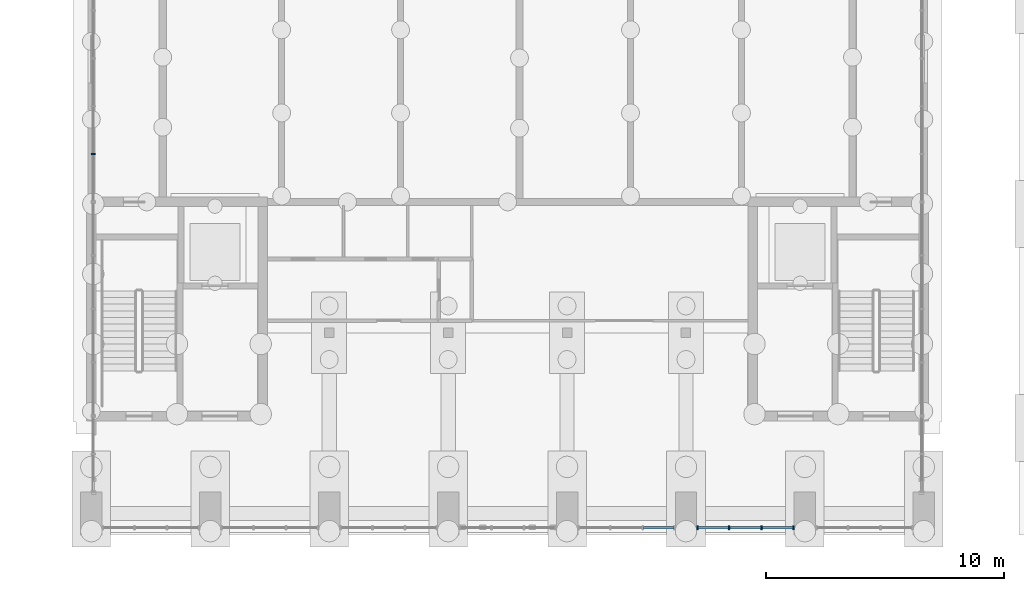
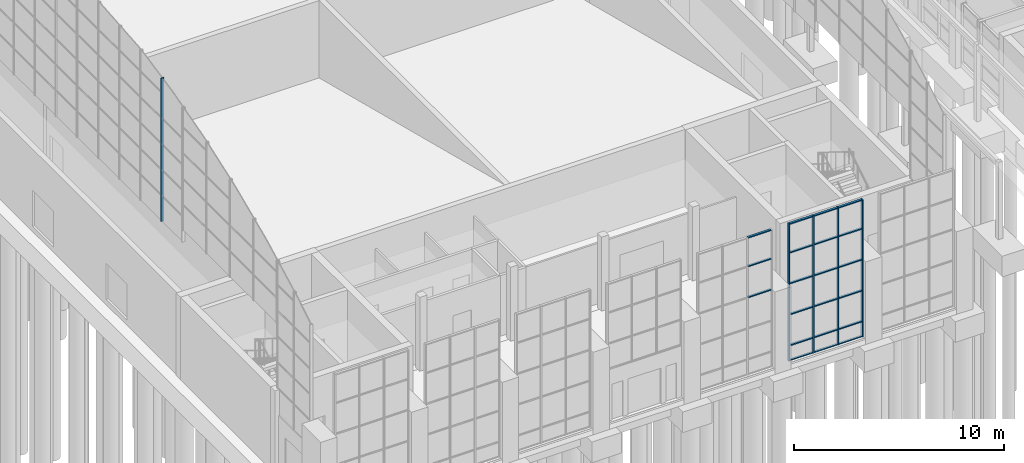
# One storey, part 26 of 106: 26 members, 3 elements without a shape of their own.
"""IFC4 building model written with IfcOpenShell, lengths in metres."""

from ifc_helpers import new_model, si_unit, direction, frame, origin, origin_2d, place, context, subcontext, project, spatial, rectangle, extrude, material, material_profile, profile_set, type_object, element, aggregate, save


model = new_model("IFC4")

# Units and contexts
model_context = context("Model", 3, precision=1e-05, world=origin(), true_north=direction((0.0, 1.0)))
body_context = subcontext(model_context, "Body", "Model", "MODEL_VIEW")
ifc_project = project(units=[si_unit("LENGTHUNIT", "METRE"), si_unit("AREAUNIT", "SQUARE_METRE"), si_unit("VOLUMEUNIT", "CUBIC_METRE"), si_unit("PLANEANGLEUNIT", "RADIAN"), si_unit("MASSUNIT", "GRAM", prefix="KILO")], contexts=[model_context])

# Site, building, storey
site_placement = place(None, origin())
site = spatial("IfcSite", under=ifc_project, at=site_placement, CompositionType="ELEMENT")
building_placement = place(site_placement, origin())
building = spatial("IfcBuilding", under=site, at=building_placement, Name="Merrow Basin Faculty of Sciences", CompositionType="ELEMENT")
storey_placement = place(building_placement, origin())
storey = spatial("IfcBuildingStorey", under=building, at=storey_placement, Name="L00", CompositionType="ELEMENT", Elevation=0.0)

# Curtain wall, member
ifc_material_1 = material(Name="Aluminium alloy 6063", Category="aluminium")
curtain_wall_type_1 = type_object("IfcCurtainWallType", Name="Arched curtain wall 160", PredefinedType="NOTDEFINED", material=ifc_material_1)
curtain_wall_1_placement = place(storey_placement, origin())
curtain_wall_1 = element("IfcCurtainWall", 1, at=curtain_wall_1_placement, inside=storey, type_object=curtain_wall_type_1, Name="West gable glazing C", PredefinedType="NOTDEFINED")
ifc_material_2 = material(Name="Aluminium alloy 6063", Category="aluminium")
ifc_material_profile_1 = material_profile(ifc_material_2, rectangle(XDim=0.159912109375, YDim=0.06005859375, at=origin_2d()))
ifc_profile_set_1 = profile_set([ifc_material_profile_1], Name="Aluminium alloy 6063")
member_type_1 = type_object("IfcMemberType", Name="Aluminium gable mullion 60x160", PredefinedType="MULLION", material=ifc_profile_set_1)
member_1_placement = place(storey_placement, frame((0.080078125, 16.010986328125, 7.5), z_axis=(0.0, 0.0, 1.0), x_axis=(1.0, 0.0, 0.0)))
member_1 = element("IfcMember", 2, at=member_1_placement, type_object=member_type_1, Name="CW4 mullion 2", PredefinedType="MULLION", context=body_context, shape_type="SweptSolid", body=[
    extrude(rectangle(XDim=0.159912109375, YDim=0.06005859375, at=origin_2d()), origin(), (0.0, 0.0, 1.0), 8.33203125),
])
aggregate(curtain_wall_1, [member_1])

# Curtain wall, members
ifc_material_3 = material(Name="Aluminium alloy 6063", Category="aluminium")
curtain_wall_type_2 = type_object("IfcCurtainWallType", Name="Unitised curtain wall 160", PredefinedType="NOTDEFINED", material=ifc_material_3)
curtain_wall_2_placement = place(storey_placement, origin())
curtain_wall_2 = element("IfcCurtainWall", 3, at=curtain_wall_2_placement, inside=storey, type_object=curtain_wall_type_2, Name="South foyer curtain wall", PredefinedType="NOTDEFINED")
ifc_material_4 = material(Name="Aluminium alloy 6063", Category="aluminium")
ifc_material_profile_2 = material_profile(ifc_material_4, rectangle(XDim=0.159912109375, YDim=0.06005859375, at=origin_2d()))
ifc_profile_set_2 = profile_set([ifc_material_profile_2], Name="Aluminium alloy 6063")
member_type_2 = type_object("IfcMemberType", Name="Aluminium mullion 60x160", PredefinedType="MULLION", material=ifc_profile_set_2)
member_2_placement = place(storey_placement, frame((25.47998046875, 0.300048828125, 0.0), z_axis=(0.0, 0.0, 1.0), x_axis=(0.0, 1.0, 0.0)))
member_2 = element("IfcMember", 4, at=member_2_placement, type_object=member_type_2, Name="CW3 mullion 1", PredefinedType="MULLION", context=body_context, shape_type="SweptSolid", body=[
    extrude(rectangle(XDim=0.159912109375, YDim=0.06005859375, at=origin_2d()), origin(), (0.0, 0.0, 1.0), 8.0),
])
member_3_placement = place(storey_placement, frame((26.816650390625, 0.300048828125, 0.0), z_axis=(0.0, 0.0, 1.0), x_axis=(0.0, 1.0, 0.0)))
member_3 = element("IfcMember", 5, at=member_3_placement, type_object=member_type_2, Name="CW3 mullion 2", PredefinedType="MULLION", context=body_context, shape_type="SweptSolid", body=[
    extrude(rectangle(XDim=0.159912109375, YDim=0.06005859375, at=origin_2d()), origin(), (0.0, 0.0, 1.0), 8.0),
])
member_4_placement = place(storey_placement, frame((28.183349609375, 0.300048828125, 0.0), z_axis=(0.0, 0.0, 1.0), x_axis=(0.0, 1.0, 0.0)))
member_4 = element("IfcMember", 6, at=member_4_placement, type_object=member_type_2, Name="CW3 mullion 3", PredefinedType="MULLION", context=body_context, shape_type="SweptSolid", body=[
    extrude(rectangle(XDim=0.159912109375, YDim=0.06005859375, at=origin_2d()), origin(), (0.0, 0.0, 1.0), 8.0),
])
member_5_placement = place(storey_placement, frame((29.52001953125, 0.300048828125, 0.0), z_axis=(0.0, 0.0, 1.0), x_axis=(0.0, 1.0, 0.0)))
member_5 = element("IfcMember", 7, at=member_5_placement, type_object=member_type_2, Name="CW3 mullion 4", PredefinedType="MULLION", context=body_context, shape_type="SweptSolid", body=[
    extrude(rectangle(XDim=0.159912109375, YDim=0.06005859375, at=origin_2d()), origin(), (0.0, 0.0, 1.0), 8.0),
])

curtain_wall_3_placement = place(storey_placement, origin())
curtain_wall_3 = element("IfcCurtainWall", 8, at=curtain_wall_3_placement, inside=storey, type_object=curtain_wall_type_2, Name="South foyer curtain wall", PredefinedType="NOTDEFINED")
ifc_material_5 = material(Name="Aluminium alloy 6063", Category="aluminium")
ifc_material_profile_3 = material_profile(ifc_material_5, rectangle(XDim=0.1201171875, YDim=0.06005859375, at=origin_2d()))
ifc_profile_set_3 = profile_set([ifc_material_profile_3], Name="Aluminium alloy 6063")
member_type_3 = type_object("IfcMemberType", Name="Aluminium transom 60x120", PredefinedType="USERDEFINED", material=ifc_profile_set_3)
member_6_placement = place(storey_placement, frame((23.21337890625, 0.300048828125, 4.5), z_axis=(1.0, 0.0, 0.0), x_axis=(0.0, 1.0, 0.0)))
member_6 = element("IfcMember", 9, at=member_6_placement, type_object=member_type_3, Name="CW3 transom 3.4", ObjectType="TRANSOM", PredefinedType="USERDEFINED", context=body_context, shape_type="SweptSolid", body=[
    extrude(rectangle(XDim=0.1201171875, YDim=0.06005859375, at=origin_2d()), origin(), (0.0, 0.0, 1.0), 1.276611328125),
])
member_7_placement = place(storey_placement, frame((23.21337890625, 0.300048828125, 6.300048828125), z_axis=(1.0, 0.0, 0.0), x_axis=(0.0, 1.0, 0.0)))
member_7 = element("IfcMember", 10, at=member_7_placement, type_object=member_type_3, Name="CW3 transom 3.5", ObjectType="TRANSOM", PredefinedType="USERDEFINED", context=body_context, shape_type="SweptSolid", body=[
    extrude(rectangle(XDim=0.1201171875, YDim=0.06005859375, at=origin_2d()), origin(), (0.0, 0.0, 1.0), 1.276611328125),
])
member_8_placement = place(storey_placement, frame((23.21337890625, 0.300048828125, 7.969970703125), z_axis=(1.0, 0.0, 0.0), x_axis=(0.0, 1.0, 0.0)))
member_8 = element("IfcMember", 11, at=member_8_placement, type_object=member_type_3, Name="CW3 transom 3.6", ObjectType="TRANSOM", PredefinedType="USERDEFINED", context=body_context, shape_type="SweptSolid", body=[
    extrude(rectangle(XDim=0.1201171875, YDim=0.06005859375, at=origin_2d()), origin(), (0.0, 0.0, 1.0), 1.276611328125),
])
aggregate(curtain_wall_3, [member_6, member_7, member_8])

# Member
member_9_placement = place(storey_placement, frame((25.510009765625, 0.300048828125, 0.030029296875), z_axis=(1.0, 0.0, 0.0), x_axis=(0.0, 1.0, 0.0)))
member_9 = element("IfcMember", 12, at=member_9_placement, type_object=member_type_3, Name="CW3 transom 1.1", ObjectType="TRANSOM", PredefinedType="USERDEFINED", context=body_context, shape_type="SweptSolid", body=[
    extrude(rectangle(XDim=0.1201171875, YDim=0.06005859375, at=origin_2d()), origin(), (0.0, 0.0, 1.0), 1.276611328125),
])

member_10_placement = place(storey_placement, frame((25.510009765625, 0.300048828125, 0.89990234375), z_axis=(1.0, 0.0, 0.0), x_axis=(0.0, 1.0, 0.0)))
member_10 = element("IfcMember", 13, at=member_10_placement, type_object=member_type_3, Name="CW3 transom 1.2", ObjectType="TRANSOM", PredefinedType="USERDEFINED", context=body_context, shape_type="SweptSolid", body=[
    extrude(rectangle(XDim=0.1201171875, YDim=0.06005859375, at=origin_2d()), origin(), (0.0, 0.0, 1.0), 1.276611328125),
])

member_11_placement = place(storey_placement, frame((25.510009765625, 0.300048828125, 2.699951171875), z_axis=(1.0, 0.0, 0.0), x_axis=(0.0, 1.0, 0.0)))
member_11 = element("IfcMember", 14, at=member_11_placement, type_object=member_type_3, Name="CW3 transom 1.3", ObjectType="TRANSOM", PredefinedType="USERDEFINED", context=body_context, shape_type="SweptSolid", body=[
    extrude(rectangle(XDim=0.1201171875, YDim=0.06005859375, at=origin_2d()), origin(), (0.0, 0.0, 1.0), 1.276611328125),
])

member_12_placement = place(storey_placement, frame((25.510009765625, 0.300048828125, 4.5), z_axis=(1.0, 0.0, 0.0), x_axis=(0.0, 1.0, 0.0)))
member_12 = element("IfcMember", 15, at=member_12_placement, type_object=member_type_3, Name="CW3 transom 1.4", ObjectType="TRANSOM", PredefinedType="USERDEFINED", context=body_context, shape_type="SweptSolid", body=[
    extrude(rectangle(XDim=0.1201171875, YDim=0.06005859375, at=origin_2d()), origin(), (0.0, 0.0, 1.0), 1.276611328125),
])

member_13_placement = place(storey_placement, frame((25.510009765625, 0.300048828125, 6.300048828125), z_axis=(1.0, 0.0, 0.0), x_axis=(0.0, 1.0, 0.0)))
member_13 = element("IfcMember", 16, at=member_13_placement, type_object=member_type_3, Name="CW3 transom 1.5", ObjectType="TRANSOM", PredefinedType="USERDEFINED", context=body_context, shape_type="SweptSolid", body=[
    extrude(rectangle(XDim=0.1201171875, YDim=0.06005859375, at=origin_2d()), origin(), (0.0, 0.0, 1.0), 1.276611328125),
])

member_14_placement = place(storey_placement, frame((25.510009765625, 0.300048828125, 7.969970703125), z_axis=(1.0, 0.0, 0.0), x_axis=(0.0, 1.0, 0.0)))
member_14 = element("IfcMember", 17, at=member_14_placement, type_object=member_type_3, Name="CW3 transom 1.6", ObjectType="TRANSOM", PredefinedType="USERDEFINED", context=body_context, shape_type="SweptSolid", body=[
    extrude(rectangle(XDim=0.1201171875, YDim=0.06005859375, at=origin_2d()), origin(), (0.0, 0.0, 1.0), 1.276611328125),
])

member_15_placement = place(storey_placement, frame((26.8466796875, 0.300048828125, 0.030029296875), z_axis=(1.0, 0.0, 0.0), x_axis=(0.0, 1.0, 0.0)))
member_15 = element("IfcMember", 18, at=member_15_placement, type_object=member_type_3, Name="CW3 transom 2.1", ObjectType="TRANSOM", PredefinedType="USERDEFINED", context=body_context, shape_type="SweptSolid", body=[
    extrude(rectangle(XDim=0.1201171875, YDim=0.06005859375, at=origin_2d()), origin(), (0.0, 0.0, 1.0), 1.306640625),
])

member_16_placement = place(storey_placement, frame((26.8466796875, 0.300048828125, 0.89990234375), z_axis=(1.0, 0.0, 0.0), x_axis=(0.0, 1.0, 0.0)))
member_16 = element("IfcMember", 19, at=member_16_placement, type_object=member_type_3, Name="CW3 transom 2.2", ObjectType="TRANSOM", PredefinedType="USERDEFINED", context=body_context, shape_type="SweptSolid", body=[
    extrude(rectangle(XDim=0.1201171875, YDim=0.06005859375, at=origin_2d()), origin(), (0.0, 0.0, 1.0), 1.306640625),
])

member_17_placement = place(storey_placement, frame((26.8466796875, 0.300048828125, 2.699951171875), z_axis=(1.0, 0.0, 0.0), x_axis=(0.0, 1.0, 0.0)))
member_17 = element("IfcMember", 20, at=member_17_placement, type_object=member_type_3, Name="CW3 transom 2.3", ObjectType="TRANSOM", PredefinedType="USERDEFINED", context=body_context, shape_type="SweptSolid", body=[
    extrude(rectangle(XDim=0.1201171875, YDim=0.06005859375, at=origin_2d()), origin(), (0.0, 0.0, 1.0), 1.306640625),
])

member_18_placement = place(storey_placement, frame((26.8466796875, 0.300048828125, 4.5), z_axis=(1.0, 0.0, 0.0), x_axis=(0.0, 1.0, 0.0)))
member_18 = element("IfcMember", 21, at=member_18_placement, type_object=member_type_3, Name="CW3 transom 2.4", ObjectType="TRANSOM", PredefinedType="USERDEFINED", context=body_context, shape_type="SweptSolid", body=[
    extrude(rectangle(XDim=0.1201171875, YDim=0.06005859375, at=origin_2d()), origin(), (0.0, 0.0, 1.0), 1.306640625),
])

member_19_placement = place(storey_placement, frame((26.8466796875, 0.300048828125, 6.300048828125), z_axis=(1.0, 0.0, 0.0), x_axis=(0.0, 1.0, 0.0)))
member_19 = element("IfcMember", 22, at=member_19_placement, type_object=member_type_3, Name="CW3 transom 2.5", ObjectType="TRANSOM", PredefinedType="USERDEFINED", context=body_context, shape_type="SweptSolid", body=[
    extrude(rectangle(XDim=0.1201171875, YDim=0.06005859375, at=origin_2d()), origin(), (0.0, 0.0, 1.0), 1.306640625),
])

member_20_placement = place(storey_placement, frame((26.8466796875, 0.300048828125, 7.969970703125), z_axis=(1.0, 0.0, 0.0), x_axis=(0.0, 1.0, 0.0)))
member_20 = element("IfcMember", 23, at=member_20_placement, type_object=member_type_3, Name="CW3 transom 2.6", ObjectType="TRANSOM", PredefinedType="USERDEFINED", context=body_context, shape_type="SweptSolid", body=[
    extrude(rectangle(XDim=0.1201171875, YDim=0.06005859375, at=origin_2d()), origin(), (0.0, 0.0, 1.0), 1.306640625),
])

member_21_placement = place(storey_placement, frame((28.21337890625, 0.300048828125, 0.030029296875), z_axis=(1.0, 0.0, 0.0), x_axis=(0.0, 1.0, 0.0)))
member_21 = element("IfcMember", 24, at=member_21_placement, type_object=member_type_3, Name="CW3 transom 3.1", ObjectType="TRANSOM", PredefinedType="USERDEFINED", context=body_context, shape_type="SweptSolid", body=[
    extrude(rectangle(XDim=0.1201171875, YDim=0.06005859375, at=origin_2d()), origin(), (0.0, 0.0, 1.0), 1.276611328125),
])

member_22_placement = place(storey_placement, frame((28.21337890625, 0.300048828125, 0.89990234375), z_axis=(1.0, 0.0, 0.0), x_axis=(0.0, 1.0, 0.0)))
member_22 = element("IfcMember", 25, at=member_22_placement, type_object=member_type_3, Name="CW3 transom 3.2", ObjectType="TRANSOM", PredefinedType="USERDEFINED", context=body_context, shape_type="SweptSolid", body=[
    extrude(rectangle(XDim=0.1201171875, YDim=0.06005859375, at=origin_2d()), origin(), (0.0, 0.0, 1.0), 1.276611328125),
])

member_23_placement = place(storey_placement, frame((28.21337890625, 0.300048828125, 2.699951171875), z_axis=(1.0, 0.0, 0.0), x_axis=(0.0, 1.0, 0.0)))
member_23 = element("IfcMember", 26, at=member_23_placement, type_object=member_type_3, Name="CW3 transom 3.3", ObjectType="TRANSOM", PredefinedType="USERDEFINED", context=body_context, shape_type="SweptSolid", body=[
    extrude(rectangle(XDim=0.1201171875, YDim=0.06005859375, at=origin_2d()), origin(), (0.0, 0.0, 1.0), 1.276611328125),
])

member_24_placement = place(storey_placement, frame((28.21337890625, 0.300048828125, 4.5), z_axis=(1.0, 0.0, 0.0), x_axis=(0.0, 1.0, 0.0)))
member_24 = element("IfcMember", 27, at=member_24_placement, type_object=member_type_3, Name="CW3 transom 3.4", ObjectType="TRANSOM", PredefinedType="USERDEFINED", context=body_context, shape_type="SweptSolid", body=[
    extrude(rectangle(XDim=0.1201171875, YDim=0.06005859375, at=origin_2d()), origin(), (0.0, 0.0, 1.0), 1.276611328125),
])

member_25_placement = place(storey_placement, frame((28.21337890625, 0.300048828125, 6.300048828125), z_axis=(1.0, 0.0, 0.0), x_axis=(0.0, 1.0, 0.0)))
member_25 = element("IfcMember", 28, at=member_25_placement, type_object=member_type_3, Name="CW3 transom 3.5", ObjectType="TRANSOM", PredefinedType="USERDEFINED", context=body_context, shape_type="SweptSolid", body=[
    extrude(rectangle(XDim=0.1201171875, YDim=0.06005859375, at=origin_2d()), origin(), (0.0, 0.0, 1.0), 1.276611328125),
])

member_26_placement = place(storey_placement, frame((28.21337890625, 0.300048828125, 7.969970703125), z_axis=(1.0, 0.0, 0.0), x_axis=(0.0, 1.0, 0.0)))
member_26 = element("IfcMember", 29, at=member_26_placement, type_object=member_type_3, Name="CW3 transom 3.6", ObjectType="TRANSOM", PredefinedType="USERDEFINED", context=body_context, shape_type="SweptSolid", body=[
    extrude(rectangle(XDim=0.1201171875, YDim=0.06005859375, at=origin_2d()), origin(), (0.0, 0.0, 1.0), 1.276611328125),
])

aggregate(curtain_wall_2, [member_2, member_3, member_4, member_5, member_9, member_10, member_11, member_12, member_13, member_14, member_15, member_16, member_17, member_18, member_19, member_20, member_21, member_22, member_23, member_24, member_25, member_26])

save(model, "model.ifc")
